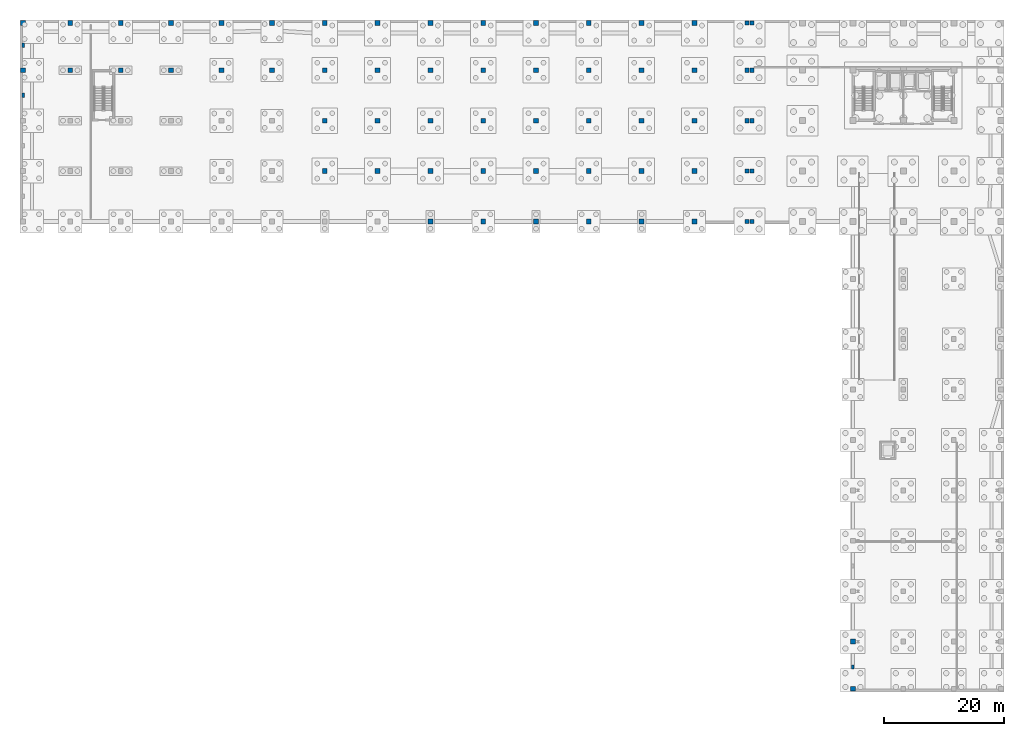
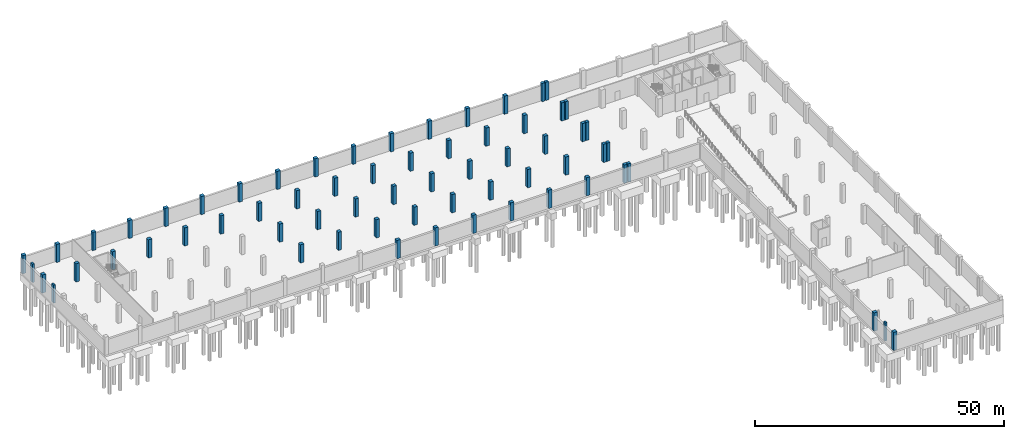
# One storey, part 5 of 18: 65 columns.
"""IFC4 building model written with IfcOpenShell, lengths in metres."""

from ifc_helpers import new_model, si_unit, direction, frame, origin, origin_2d, place, context, subcontext, project, spatial, rectangle, extrude, material, material_profile, profile_set, type_object, element, save


model = new_model("IFC4")

# Units and contexts
model_context = context("Model", 3, precision=1e-05, world=origin(), true_north=direction((0.0, 1.0)))
body_context = subcontext(model_context, "Body", "Model", "MODEL_VIEW")
ifc_project = project(units=[si_unit("LENGTHUNIT", "METRE"), si_unit("AREAUNIT", "SQUARE_METRE"), si_unit("VOLUMEUNIT", "CUBIC_METRE"), si_unit("PLANEANGLEUNIT", "RADIAN"), si_unit("MASSUNIT", "GRAM", prefix="KILO")], contexts=[model_context])

# Site, building, storey
site_placement = place(None, origin())
site = spatial("IfcSite", under=ifc_project, at=site_placement, CompositionType="ELEMENT")
building_placement = place(site_placement, origin())
building = spatial("IfcBuilding", under=site, at=building_placement, Name="Brinegate Botanical Conservatory", CompositionType="ELEMENT")
storey_placement = place(building_placement, frame((0.0, 0.0, -9.60009765625)))
storey = spatial("IfcBuildingStorey", under=building, at=storey_placement, Name="B2", CompositionType="ELEMENT", Elevation=-9.60009765625)

# Columns
ifc_material_1 = material(Name="Concrete C50/60", Category="concrete")
ifc_material_profile_1 = material_profile(ifc_material_1, rectangle(XDim=0.699951171875, YDim=0.699951171875, at=origin_2d()), Name="RC COL 700x700")
ifc_profile_set_1 = profile_set([ifc_material_profile_1], Name="Concrete C50/60")
column_type_1 = type_object("IfcColumnType", Name="Col_C-JT", PredefinedType="COLUMN", material=ifc_profile_set_1)
for number, where, z_axis, x_axis, name in (
    (1, (121.14990234375, 78.39990234375, 0.0), (0.0, 0.0, 1.0), (1.0, 0.0, 0.0), "Column C-JT B2 K-15"),
    (2, (121.14990234375, 86.800048828125, 0.0), (0.0, 0.0, 1.0), (1.0, 0.0, 0.0), "Column C-JT B2 L-15"),
    (3, (121.14990234375, 95.199951171875, 0.0), (0.0, 0.0, 1.0), (1.0, 0.0, 0.0), "Column C-JT B2 M-15"),
    (4, (121.14990234375, 103.60009765625, 0.0), (0.0, 0.0, 1.0), (1.0, 0.0, 0.0), "Column C-JT B2 N-15"),
    (5, (121.14990234375, 111.449951171875, 0.0), (0.0, 0.0, 1.0), (1.0, 0.0, 0.0), "Column C-JT B2 P-15"),
    (6, (122.0, 78.39990234375, 0.0), (0.0, 0.0, 1.0), (1.0, 0.0, 0.0), "Column C-JT B2 K-16"),
    (7, (122.0, 86.800048828125, 0.0), (0.0, 0.0, 1.0), (1.0, 0.0, 0.0), "Column C-JT B2 L-16"),
    (8, (122.0, 95.199951171875, 0.0), (0.0, 0.0, 1.0), (1.0, 0.0, 0.0), "Column C-JT B2 M-16"),
    (9, (122.0, 103.60009765625, 0.0), (0.0, 0.0, 1.0), (1.0, 0.0, 0.0), "Column C-JT B2 N-16"),
    (10, (122.0, 111.449951171875, 0.0), (0.0, 0.0, 1.0), (1.0, 0.0, 0.0), "Column C-JT B2 P-16"),
):
    element("IfcColumn", number, at=place(storey_placement, frame(where, z_axis=z_axis, x_axis=x_axis)), inside=storey, type_object=column_type_1, Name=name, PredefinedType="COLUMN", context=body_context, shape_type="SweptSolid", body=[
        extrude(rectangle(XDim=0.699951171875, YDim=0.699951171875, at=origin_2d()), origin(), (0.0, 0.0, 1.0), 4.47998046875),
    ])
ifc_material_2 = material(Name="Concrete C40/50", Category="concrete")
ifc_material_profile_2 = material_profile(ifc_material_2, rectangle(XDim=0.800048828125, YDim=0.800048828125, at=origin_2d()), Name="RC COL 800x800")
ifc_profile_set_2 = profile_set([ifc_material_profile_2], Name="Concrete C40/50")
column_type_2 = type_object("IfcColumnType", Name="Col_C-W1", PredefinedType="COLUMN", material=ifc_profile_set_2)
for number, where, z_axis, x_axis, name in (
    (11, (0.550048828125, 103.60009765625, 0.0), (0.0, 0.0, 1.0), (1.0, 0.0, 0.0), "Column C-W1 B2 N-1"),
    (12, (0.550048828125, 111.449951171875, 0.0), (0.0, 0.0, 1.0), (1.0, 0.0, 0.0), "Column C-W1 B2 P-1"),
    (13, (8.39990234375, 103.60009765625, 0.0), (0.0, 0.0, 1.0), (1.0, 0.0, 0.0), "Column C-W1 B2 N-2"),
    (14, (8.39990234375, 111.449951171875, 0.0), (0.0, 0.0, 1.0), (1.0, 0.0, 0.0), "Column C-W1 B2 P-2"),
    (15, (16.800048828125, 103.60009765625, 0.0), (0.0, 0.0, 1.0), (1.0, 0.0, 0.0), "Column C-W1 B2 N-3"),
    (16, (16.800048828125, 111.449951171875, 0.0), (0.0, 0.0, 1.0), (1.0, 0.0, 0.0), "Column C-W1 B2 P-3"),
    (17, (25.199951171875, 103.60009765625, 0.0), (0.0, 0.0, 1.0), (1.0, 0.0, 0.0), "Column C-W1 B2 N-4"),
    (18, (25.199951171875, 111.449951171875, 0.0), (0.0, 0.0, 1.0), (1.0, 0.0, 0.0), "Column C-W1 B2 P-4"),
    (19, (33.60009765625, 103.60009765625, 0.0), (0.0, 0.0, 1.0), (1.0, 0.0, 0.0), "Column C-W1 B2 N-5"),
    (20, (33.60009765625, 111.449951171875, 0.0), (0.0, 0.0, 1.0), (1.0, 0.0, 0.0), "Column C-W1 B2 P-5"),
    (21, (42.0, 103.60009765625, 0.0), (0.0, 0.0, 1.0), (1.0, 0.0, 0.0), "Column C-W1 B2 N-6"),
    (22, (42.0, 111.449951171875, 0.0), (0.0, 0.0, 1.0), (1.0, 0.0, 0.0), "Column C-W1 B2 P-6"),
    (23, (50.800048828125, 86.800048828125, 0.0), (0.0, 0.0, 1.0), (1.0, 0.0, 0.0), "Column C-W1 B2 L-7"),
    (24, (50.800048828125, 95.199951171875, 0.0), (0.0, 0.0, 1.0), (1.0, 0.0, 0.0), "Column C-W1 B2 M-7"),
    (25, (50.800048828125, 103.60009765625, 0.0), (0.0, 0.0, 1.0), (1.0, 0.0, 0.0), "Column C-W1 B2 N-7"),
    (26, (50.800048828125, 111.449951171875, 0.0), (0.0, 0.0, 1.0), (1.0, 0.0, 0.0), "Column C-W1 B2 P-7"),
    (27, (59.60009765625, 86.800048828125, 0.0), (0.0, 0.0, 1.0), (1.0, 0.0, 0.0), "Column C-W1 B2 L-8"),
    (28, (59.60009765625, 95.199951171875, 0.0), (0.0, 0.0, 1.0), (1.0, 0.0, 0.0), "Column C-W1 B2 M-8"),
    (29, (59.60009765625, 103.60009765625, 0.0), (0.0, 0.0, 1.0), (1.0, 0.0, 0.0), "Column C-W1 B2 N-8"),
    (30, (59.60009765625, 111.449951171875, 0.0), (0.0, 0.0, 1.0), (1.0, 0.0, 0.0), "Column C-W1 B2 P-8"),
    (31, (68.39990234375, 78.39990234375, 0.0), (0.0, 0.0, 1.0), (1.0, 0.0, 0.0), "Column C-W1 B2 K-9"),
    (32, (68.39990234375, 86.800048828125, 0.0), (0.0, 0.0, 1.0), (1.0, 0.0, 0.0), "Column C-W1 B2 L-9"),
    (33, (68.39990234375, 95.199951171875, 0.0), (0.0, 0.0, 1.0), (1.0, 0.0, 0.0), "Column C-W1 B2 M-9"),
    (34, (68.39990234375, 103.60009765625, 0.0), (0.0, 0.0, 1.0), (1.0, 0.0, 0.0), "Column C-W1 B2 N-9"),
    (35, (68.39990234375, 111.449951171875, 0.0), (0.0, 0.0, 1.0), (1.0, 0.0, 0.0), "Column C-W1 B2 P-9"),
    (36, (77.199951171875, 78.39990234375, 0.0), (0.0, 0.0, 1.0), (1.0, 0.0, 0.0), "Column C-W1 B2 K-10"),
    (37, (77.199951171875, 86.800048828125, 0.0), (0.0, 0.0, 1.0), (1.0, 0.0, 0.0), "Column C-W1 B2 L-10"),
    (38, (77.199951171875, 95.199951171875, 0.0), (0.0, 0.0, 1.0), (1.0, 0.0, 0.0), "Column C-W1 B2 M-10"),
    (39, (77.199951171875, 103.60009765625, 0.0), (0.0, 0.0, 1.0), (1.0, 0.0, 0.0), "Column C-W1 B2 N-10"),
    (40, (77.199951171875, 111.449951171875, 0.0), (0.0, 0.0, 1.0), (1.0, 0.0, 0.0), "Column C-W1 B2 P-10"),
    (41, (86.0, 78.39990234375, 0.0), (0.0, 0.0, 1.0), (1.0, 0.0, 0.0), "Column C-W1 B2 K-11"),
    (42, (86.0, 86.800048828125, 0.0), (0.0, 0.0, 1.0), (1.0, 0.0, 0.0), "Column C-W1 B2 L-11"),
    (43, (86.0, 95.199951171875, 0.0), (0.0, 0.0, 1.0), (1.0, 0.0, 0.0), "Column C-W1 B2 M-11"),
    (44, (86.0, 103.60009765625, 0.0), (0.0, 0.0, 1.0), (1.0, 0.0, 0.0), "Column C-W1 B2 N-11"),
    (45, (86.0, 111.449951171875, 0.0), (0.0, 0.0, 1.0), (1.0, 0.0, 0.0), "Column C-W1 B2 P-11"),
    (46, (94.800048828125, 78.39990234375, 0.0), (0.0, 0.0, 1.0), (1.0, 0.0, 0.0), "Column C-W1 B2 K-12"),
    (47, (94.800048828125, 86.800048828125, 0.0), (0.0, 0.0, 1.0), (1.0, 0.0, 0.0), "Column C-W1 B2 L-12"),
    (48, (94.800048828125, 95.199951171875, 0.0), (0.0, 0.0, 1.0), (1.0, 0.0, 0.0), "Column C-W1 B2 M-12"),
    (49, (94.800048828125, 103.60009765625, 0.0), (0.0, 0.0, 1.0), (1.0, 0.0, 0.0), "Column C-W1 B2 N-12"),
    (50, (94.800048828125, 111.449951171875, 0.0), (0.0, 0.0, 1.0), (1.0, 0.0, 0.0), "Column C-W1 B2 P-12"),
    (51, (103.60009765625, 78.39990234375, 0.0), (0.0, 0.0, 1.0), (1.0, 0.0, 0.0), "Column C-W1 B2 K-13"),
    (52, (103.60009765625, 86.800048828125, 0.0), (0.0, 0.0, 1.0), (1.0, 0.0, 0.0), "Column C-W1 B2 L-13"),
    (53, (103.60009765625, 95.199951171875, 0.0), (0.0, 0.0, 1.0), (1.0, 0.0, 0.0), "Column C-W1 B2 M-13"),
    (54, (103.60009765625, 103.60009765625, 0.0), (0.0, 0.0, 1.0), (1.0, 0.0, 0.0), "Column C-W1 B2 N-13"),
    (55, (103.60009765625, 111.449951171875, 0.0), (0.0, 0.0, 1.0), (1.0, 0.0, 0.0), "Column C-W1 B2 P-13"),
    (56, (112.39990234375, 78.39990234375, 0.0), (0.0, 0.0, 1.0), (1.0, 0.0, 0.0), "Column C-W1 B2 K-14"),
    (57, (112.39990234375, 86.800048828125, 0.0), (0.0, 0.0, 1.0), (1.0, 0.0, 0.0), "Column C-W1 B2 L-14"),
    (58, (112.39990234375, 95.199951171875, 0.0), (0.0, 0.0, 1.0), (1.0, 0.0, 0.0), "Column C-W1 B2 M-14"),
    (59, (112.39990234375, 103.60009765625, 0.0), (0.0, 0.0, 1.0), (1.0, 0.0, 0.0), "Column C-W1 B2 N-14"),
    (60, (112.39990234375, 111.449951171875, 0.0), (0.0, 0.0, 1.0), (1.0, 0.0, 0.0), "Column C-W1 B2 P-14"),
    (61, (138.800048828125, 0.550048828125, 0.0), (0.0, 0.0, 1.0), (1.0, 0.0, 0.0), "Column C-W1 B2 A-18"),
    (62, (138.800048828125, 8.39990234375, 0.0), (0.0, 0.0, 1.0), (1.0, 0.0, 0.0), "Column C-W1 B2 B-18"),
):
    element("IfcColumn", number, at=place(storey_placement, frame(where, z_axis=z_axis, x_axis=x_axis)), inside=storey, type_object=column_type_2, Name=name, PredefinedType="COLUMN", context=body_context, shape_type="SweptSolid", body=[
        extrude(rectangle(XDim=0.800048828125, YDim=0.800048828125, at=origin_2d()), origin(), (0.0, 0.0, 1.0), 4.47998046875),
    ])
ifc_material_profile_3 = material_profile(ifc_material_1, rectangle(XDim=0.449951171875, YDim=0.75, at=origin_2d()), Name="RC PILASTER 450x750")
ifc_profile_set_3 = profile_set([ifc_material_profile_3], Name="Concrete C50/60")
column_type_3 = type_object("IfcColumnType", Name="Col_PL-W1", PredefinedType="PILASTER", material=ifc_profile_set_3)
for number, where, z_axis, x_axis, name in (
    (63, (0.550048828125, 99.39990234375, 0.0), (0.0, 0.0, 1.0), (1.0, 0.0, 0.0), "Warehouse pilaster PL-W1 B2 PL-W-V1C"),
    (64, (0.550048828125, 107.800048828125, 0.0), (0.0, 0.0, 1.0), (1.0, 0.0, 0.0), "Warehouse pilaster PL-W1 B2 PL-W-V1D"),
):
    element("IfcColumn", number, at=place(storey_placement, frame(where, z_axis=z_axis, x_axis=x_axis)), inside=storey, type_object=column_type_3, Name=name, PredefinedType="PILASTER", context=body_context, shape_type="SweptSolid", body=[
        extrude(rectangle(XDim=0.449951171875, YDim=0.75, at=origin_2d()), origin(), (0.0, 0.0, 1.0), 4.47998046875),
    ])
ifc_material_profile_4 = material_profile(ifc_material_2, rectangle(XDim=0.39990234375, YDim=0.64990234375, at=origin_2d()), Name="RC PILASTER 400x650")
ifc_profile_set_4 = profile_set([ifc_material_profile_4], Name="Concrete C40/50")
column_type_4 = type_object("IfcColumnType", Name="Col_PL-W2", PredefinedType="PILASTER", material=ifc_profile_set_4)
column_placement = place(storey_placement, frame((138.800048828125, 4.199951171875, 0.0), z_axis=(0.0, 0.0, 1.0), x_axis=(1.0, 0.0, 0.0)))
element("IfcColumn", 65, at=column_placement, inside=storey, type_object=column_type_4, Name="Warehouse pilaster PL-W2 B2 PL-W-V2A", PredefinedType="PILASTER", context=body_context, shape_type="SweptSolid", body=[
    extrude(rectangle(XDim=0.39990234375, YDim=0.64990234375, at=origin_2d()), origin(), (0.0, 0.0, 1.0), 4.47998046875),
])

save(model, "model.ifc")
